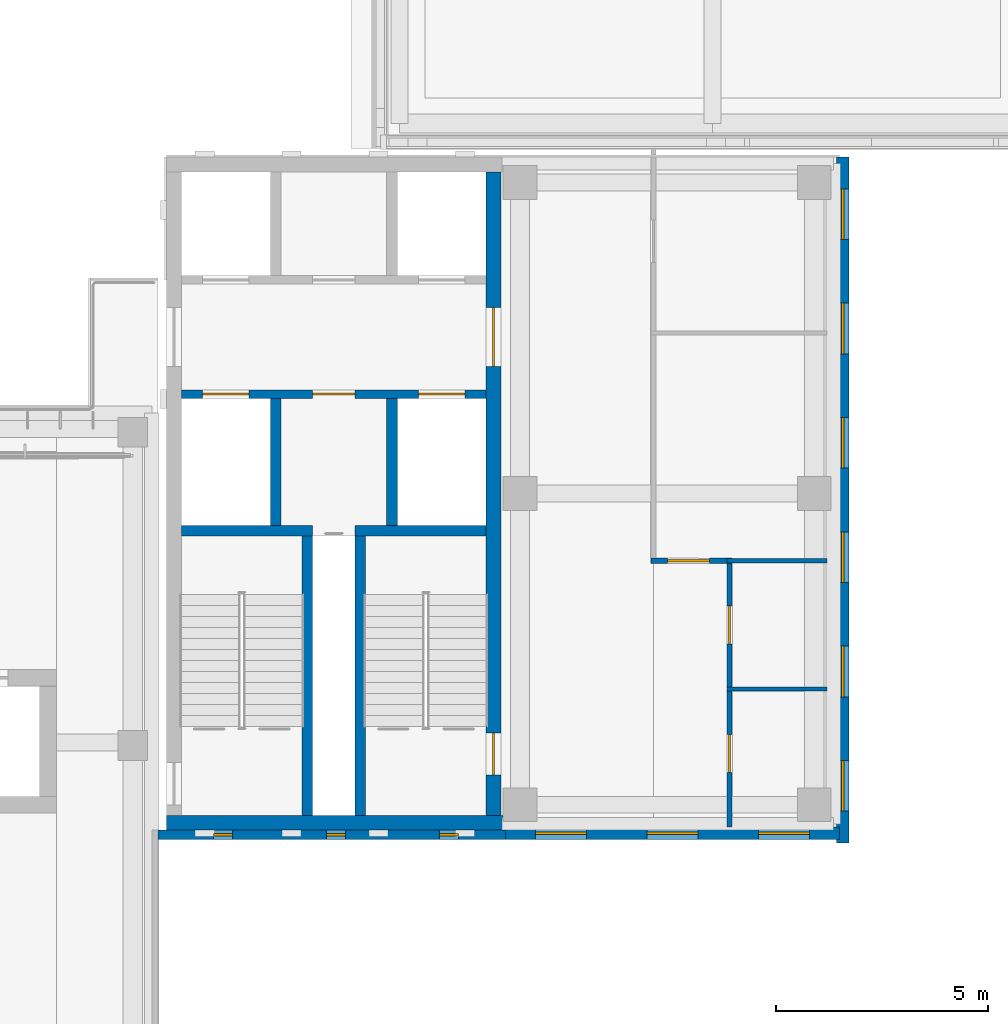
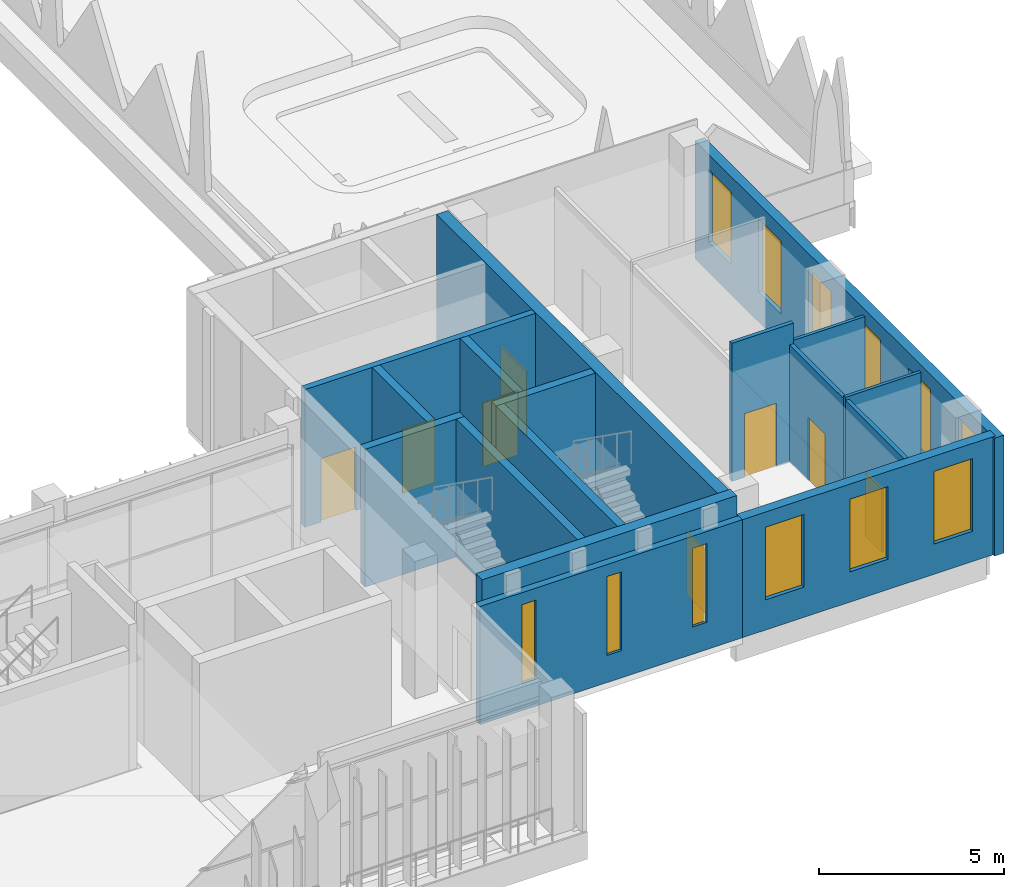
# One storey, part 26 of 46: 16 walls, 12 windows, 8 doors, 20 openings.
"""IFC4 building model written with IfcOpenShell, lengths in metres."""

from ifc_helpers import new_model, si_unit, direction, frame, frame_2d, origin, place, context, subcontext, project, spatial, rectangle, extrude, material, layer, layer_set, type_object, element, fill, save


model = new_model("IFC4")

# Units and contexts
model_context = context("Model", 3, precision=1e-05, world=origin(), true_north=direction((0.0, 1.0)))
body_context = subcontext(model_context, "Body", "Model", "MODEL_VIEW")
ifc_project = project(units=[si_unit("LENGTHUNIT", "METRE"), si_unit("AREAUNIT", "SQUARE_METRE"), si_unit("VOLUMEUNIT", "CUBIC_METRE"), si_unit("PLANEANGLEUNIT", "RADIAN"), si_unit("MASSUNIT", "GRAM", prefix="KILO")], contexts=[model_context])

# Site, building, storey
site_placement = place(None, origin())
site = spatial("IfcSite", under=ifc_project, at=site_placement, CompositionType="ELEMENT")
building_placement = place(site_placement, origin())
building = spatial("IfcBuilding", under=site, at=building_placement, Name="Lantern Court Media Centre", CompositionType="ELEMENT")
storey_placement = place(building_placement, frame((0.0, 0.0, 28.800048828125)))
storey = spatial("IfcBuildingStorey", under=building, at=storey_placement, Name="L06", CompositionType="ELEMENT", Elevation=28.800048828125)

# Wall, opening, door
ifc_material_1 = material(Name="Gypsum board partition")
ifc_layer_1 = layer(ifc_material_1, 0.125)
ifc_layer_set_1 = layer_set([ifc_layer_1], Name="Gypsum board partition")
wall_type_1 = type_object("IfcWallType", Name="Corridor partition 125", PredefinedType="PARTITIONING", material=ifc_layer_set_1)
wall_1_placement = place(storey_placement, frame((91.53759765625, 54.364013671875, 0.0), z_axis=(0.0, 0.0, 1.0), x_axis=(1.0, 0.0, 0.0)))
wall_1 = element("IfcWall", 1, at=wall_1_placement, inside=storey, type_object=wall_type_1, Name="L06 partition 024", PredefinedType="PARTITIONING", context=body_context, shape_type="SweptSolid", body=[
    extrude(rectangle(XDim=1.9248046875, YDim=0.125, at=frame_2d((0.96240234375, 0.0))), origin(), (0.0, 0.0, 1.0), 4.56005859375),
])
opening_1_placement = place(wall_1_placement, frame((0.389892578125, 0.0, 0.0)))
opening_1 = element("IfcOpeningElement", 2, at=opening_1_placement, cuts=wall_1, Name="Opening L06-013", PredefinedType="OPENING", context=body_context, shape_type="SweptSolid", body=[
    extrude(rectangle(XDim=1.0, YDim=2.10009765625, at=frame_2d((0.5, 1.050048828125))), frame((0.0, 0.072509765625, 0.0), z_axis=(0.0, -1.0, 0.0), x_axis=(1.0, 0.0, 0.0)), (0.0, 0.0, 1.0), 0.14501953125),
])
ifc_material_2 = material(Name="Solid-core timber door leaf", Category="wood")
door_type_1 = type_object("IfcDoorType", Name="Single door 1000x2100", OperationType="NOTDEFINED", PredefinedType="DOOR", material=ifc_material_2)
door_1_placement = place(opening_1_placement, origin())
door_1 = element("IfcDoor", 3, at=door_1_placement, inside=storey, type_object=door_type_1, Name="L06 Community Room 08 door", OperationType="SINGLE_SWING_RIGHT", OverallHeight=2.10009765625, OverallWidth=1.0, PredefinedType="DOOR", context=body_context, shape_type="SweptSolid", body=[
    extrude(rectangle(XDim=1.0, YDim=2.10009765625, at=frame_2d((0.5, 1.050048828125))), frame((0.0, 0.02490234375, 0.0), z_axis=(0.0, -1.0, 0.0), x_axis=(1.0, 0.0, 0.0)), (0.0, 0.0, 1.0), 0.050048828125),
])
fill(opening_1, door_1)

# Wall, openings, doors
wall_2_placement = place(storey_placement, frame((93.39990234375, 48.080078125, 0.0), z_axis=(0.0, 0.0, 1.0), x_axis=(0.0, 1.0, 0.0)))
wall_2 = element("IfcWall", 4, at=wall_2_placement, inside=storey, type_object=wall_type_1, Name="L06 partition 027", PredefinedType="PARTITIONING", context=body_context, shape_type="SweptSolid", body=[
    extrude(rectangle(XDim=6.221435546875, YDim=0.125, at=frame_2d((3.11083984375, 0.0))), origin(), (0.0, 0.0, 1.0), 3.8798828125),
])
opening_2_placement = place(wall_2_placement, frame((1.285888671875, 0.0, 0.0)))
opening_2 = element("IfcOpeningElement", 5, at=opening_2_placement, cuts=wall_2, Name="Opening L06-015", PredefinedType="OPENING", context=body_context, shape_type="SweptSolid", body=[
    extrude(rectangle(XDim=0.89990234375, YDim=2.10009765625, at=frame_2d((0.449951171875, 1.050048828125))), frame((0.0, 0.072509765625, 0.0), z_axis=(0.0, -1.0, 0.0), x_axis=(1.0, 0.0, 0.0)), (0.0, 0.0, 1.0), 0.14501953125),
])
opening_3_placement = place(wall_2_placement, frame((4.31787109375, 0.0, 0.0)))
opening_3 = element("IfcOpeningElement", 6, at=opening_3_placement, cuts=wall_2, Name="Opening L06-016", PredefinedType="OPENING", context=body_context, shape_type="SweptSolid", body=[
    extrude(rectangle(XDim=0.89990234375, YDim=2.10009765625, at=frame_2d((0.449951171875, 1.050048828125))), frame((0.0, 0.072509765625, 0.0), z_axis=(0.0, -1.0, 0.0), x_axis=(1.0, 0.0, 0.0)), (0.0, 0.0, 1.0), 0.14501953125),
])
door_type_2 = type_object("IfcDoorType", Name="Single door 900x2100", OperationType="NOTDEFINED", PredefinedType="DOOR", material=ifc_material_2)
door_2_placement = place(opening_2_placement, frame((0.89990234375, 0.0, 0.0), z_axis=(0.0, 0.0, 1.0), x_axis=(-1.0, 0.0, 0.0)))
door_2 = element("IfcDoor", 7, at=door_2_placement, inside=storey, type_object=door_type_2, Name="L06 WC Male door", OperationType="SINGLE_SWING_RIGHT", OverallHeight=2.10009765625, OverallWidth=0.89990234375, PredefinedType="DOOR", context=body_context, shape_type="SweptSolid", body=[
    extrude(rectangle(XDim=0.89990234375, YDim=2.10009765625, at=frame_2d((0.449951171875, 1.050048828125))), frame((0.0, 0.02490234375, 0.0), z_axis=(0.0, -1.0, 0.0), x_axis=(1.0, 0.0, 0.0)), (0.0, 0.0, 1.0), 0.050048828125),
])
fill(opening_2, door_2)
door_3_placement = place(opening_3_placement, frame((0.89990234375, 0.0, 0.0), z_axis=(0.0, 0.0, 1.0), x_axis=(-1.0, 0.0, 0.0)))
door_3 = element("IfcDoor", 8, at=door_3_placement, inside=storey, type_object=door_type_2, Name="L06 WC Female door", OperationType="SINGLE_SWING_LEFT", OverallHeight=2.10009765625, OverallWidth=0.89990234375, PredefinedType="DOOR", context=body_context, shape_type="SweptSolid", body=[
    extrude(rectangle(XDim=0.89990234375, YDim=2.10009765625, at=frame_2d((0.449951171875, 1.050048828125))), frame((0.0, 0.02490234375, 0.0), z_axis=(0.0, -1.0, 0.0), x_axis=(1.0, 0.0, 0.0)), (0.0, 0.0, 1.0), 0.050048828125),
])
fill(opening_3, door_3)

ifc_material_3 = material(Name="Concrete C40", Category="concrete")
ifc_layer_2 = layer(ifc_material_3, 0.199951171875)
ifc_layer_set_2 = layer_set([ifc_layer_2], Name="Concrete C40")
wall_type_2 = type_object("IfcWallType", Name="Fire lobby wall 200", PredefinedType="SOLIDWALL", material=ifc_layer_set_2)
wall_3_placement = place(storey_placement, frame((87.64990234375, 58.300048828125, 0.0), z_axis=(0.0, 0.0, 1.0), x_axis=(-1.0, 0.0, 0.0)))
wall_3 = element("IfcWall", 9, at=wall_3_placement, inside=storey, type_object=wall_type_2, Name="L06 SE FW1", PredefinedType="SOLIDWALL", context=body_context, shape_type="SweptSolid", body=[
    extrude(rectangle(XDim=7.199951171875, YDim=0.199951171875, at=frame_2d((3.60009765625, 0.0))), origin(), (0.0, 0.0, 1.0), 4.550048828125),
])
opening_4_placement = place(wall_3_placement, frame((0.5, 0.0, 0.0)))
opening_4 = element("IfcOpeningElement", 10, at=opening_4_placement, cuts=wall_3, Name="Opening LD-SEFF-L06", PredefinedType="OPENING", context=body_context, shape_type="SweptSolid", body=[
    extrude(rectangle(XDim=1.10009765625, YDim=2.10009765625, at=frame_2d((0.550048828125, 1.050048828125))), frame((0.0, 0.10986328125, 0.0), z_axis=(0.0, -1.0, 0.0), x_axis=(1.0, 0.0, 0.0)), (0.0, 0.0, 1.0), 0.219970703125),
])
opening_5_placement = place(wall_3_placement, frame((5.60009765625, 0.0, 0.0)))
opening_5 = element("IfcOpeningElement", 11, at=opening_5_placement, cuts=wall_3, Name="Opening LD-SEP1-L06", PredefinedType="OPENING", context=body_context, shape_type="SweptSolid", body=[
    extrude(rectangle(XDim=1.10009765625, YDim=2.10009765625, at=frame_2d((0.550048828125, 1.050048828125))), frame((0.0, 0.10986328125, 0.0), z_axis=(0.0, -1.0, 0.0), x_axis=(1.0, 0.0, 0.0)), (0.0, 0.0, 1.0), 0.219970703125),
])
opening_6_placement = place(wall_3_placement, frame((3.10009765625, 0.0, 0.0)))
opening_6 = element("IfcOpeningElement", 12, at=opening_6_placement, cuts=wall_3, Name="Opening SE-L06-03", PredefinedType="OPENING", context=body_context, shape_type="SweptSolid", body=[
    extrude(rectangle(XDim=1.0, YDim=2.10009765625, at=frame_2d((0.5, 1.050048828125))), frame((0.0, 0.10986328125, 0.0), z_axis=(0.0, -1.0, 0.0), x_axis=(1.0, 0.0, 0.0)), (0.0, 0.0, 1.0), 0.219970703125),
])
ifc_material_4 = material(Name="Steel door leaf", Category="steel")
door_type_3 = type_object("IfcDoorType", Name="Lift landing door 1100x2100", OperationType="DOUBLE_DOOR_SLIDING", PredefinedType="DOOR", material=ifc_material_4)
door_4_placement = place(opening_4_placement, frame((1.10009765625, 0.0, 0.0), z_axis=(0.0, 0.0, 1.0), x_axis=(-1.0, 0.0, 0.0)))
door_4 = element("IfcDoor", 13, at=door_4_placement, inside=storey, type_object=door_type_3, Name="L06 SE lift FF landing door", OperationType="DOUBLE_DOOR_SLIDING", OverallHeight=2.10009765625, OverallWidth=1.10009765625, PredefinedType="DOOR", context=body_context, shape_type="SweptSolid", body=[
    extrude(rectangle(XDim=1.10009765625, YDim=2.10009765625, at=frame_2d((0.550048828125, 1.050048828125))), frame((0.0, 0.02490234375, 0.0), z_axis=(0.0, -1.0, 0.0), x_axis=(1.0, 0.0, 0.0)), (0.0, 0.0, 1.0), 0.050048828125),
])
fill(opening_4, door_4)
door_5_placement = place(opening_5_placement, frame((1.10009765625, 0.0, 0.0), z_axis=(0.0, 0.0, 1.0), x_axis=(-1.0, 0.0, 0.0)))
door_5 = element("IfcDoor", 14, at=door_5_placement, inside=storey, type_object=door_type_3, Name="L06 SE lift P1 landing door", OperationType="DOUBLE_DOOR_SLIDING", OverallHeight=2.10009765625, OverallWidth=1.10009765625, PredefinedType="DOOR", context=body_context, shape_type="SweptSolid", body=[
    extrude(rectangle(XDim=1.10009765625, YDim=2.10009765625, at=frame_2d((0.550048828125, 1.050048828125))), frame((0.0, 0.02490234375, 0.0), z_axis=(0.0, -1.0, 0.0), x_axis=(1.0, 0.0, 0.0)), (0.0, 0.0, 1.0), 0.050048828125),
])
fill(opening_5, door_5)
door_type_4 = type_object("IfcDoorType", Name="Service door 1000x2100", OperationType="NOTDEFINED", PredefinedType="DOOR", material=ifc_material_4)
door_6_placement = place(opening_6_placement, frame((1.0, 0.0, 0.0), z_axis=(0.0, 0.0, 1.0), x_axis=(-1.0, 0.0, 0.0)))
door_6 = element("IfcDoor", 15, at=door_6_placement, inside=storey, type_object=door_type_4, Name="L06 SE services riser door", OperationType="SINGLE_SWING_LEFT", OverallHeight=2.10009765625, OverallWidth=1.0, PredefinedType="DOOR", context=body_context, shape_type="SweptSolid", body=[
    extrude(rectangle(XDim=1.0, YDim=2.10009765625, at=frame_2d((0.5, 1.050048828125))), frame((0.0, 0.02490234375, 0.0), z_axis=(0.0, -1.0, 0.0), x_axis=(1.0, 0.0, 0.0)), (0.0, 0.0, 1.0), 0.050048828125),
])
fill(opening_6, door_6)

# Wall, openings, windows
ifc_material_5 = material(Name="Honed limestone cladding on blockwork", Category="masonry")
ifc_layer_3 = layer(ifc_material_5, 0.300048828125)
ifc_layer_set_3 = layer_set([ifc_layer_3], Name="Honed limestone cladding on blockwork")
wall_type_3 = type_object("IfcWallType", Name="Limestone block wall 300", PredefinedType="SOLIDWALL", material=ifc_layer_set_3)
wall_4_placement = place(storey_placement, frame((96.070068359375, 47.699951171875, 0.0), z_axis=(0.0, 0.0, 1.0), x_axis=(0.0, 1.0, 0.0)))
wall_4 = element("IfcWall", 16, at=wall_4_placement, inside=storey, type_object=wall_type_3, Name="Limestone wall SE E L06", PredefinedType="SOLIDWALL", context=body_context, shape_type="SweptSolid", body=[
    extrude(rectangle(XDim=16.199951171875, YDim=0.300048828125, at=frame_2d((8.10009765625, 0.0))), origin(), (0.0, 0.0, 1.0), 3.89990234375),
])
opening_7_placement = place(wall_4_placement, frame((0.75, 0.0, 1.0)))
opening_7 = element("IfcOpeningElement", 17, at=opening_7_placement, cuts=wall_4, Name="Opening WN-A", PredefinedType="OPENING", context=body_context, shape_type="SweptSolid", body=[
    extrude(rectangle(XDim=1.199951171875, YDim=2.39990234375, at=frame_2d((0.60009765625, 1.199951171875))), frame((0.0, 0.159912109375, 0.0), z_axis=(0.0, -1.0, 0.0), x_axis=(1.0, 0.0, 0.0)), (0.0, 0.0, 1.0), 0.320068359375),
])
opening_8_placement = place(wall_4_placement, frame((3.449951171875, 0.0, 1.0)))
opening_8 = element("IfcOpeningElement", 18, at=opening_8_placement, cuts=wall_4, Name="Opening WN-A", PredefinedType="OPENING", context=body_context, shape_type="SweptSolid", body=[
    extrude(rectangle(XDim=1.199951171875, YDim=2.39990234375, at=frame_2d((0.60009765625, 1.199951171875))), frame((0.0, 0.159912109375, 0.0), z_axis=(0.0, -1.0, 0.0), x_axis=(1.0, 0.0, 0.0)), (0.0, 0.0, 1.0), 0.320068359375),
])
opening_9_placement = place(wall_4_placement, frame((6.14990234375, 0.0, 1.0)))
opening_9 = element("IfcOpeningElement", 19, at=opening_9_placement, cuts=wall_4, Name="Opening WN-A", PredefinedType="OPENING", context=body_context, shape_type="SweptSolid", body=[
    extrude(rectangle(XDim=1.199951171875, YDim=2.39990234375, at=frame_2d((0.60009765625, 1.199951171875))), frame((0.0, 0.159912109375, 0.0), z_axis=(0.0, -1.0, 0.0), x_axis=(1.0, 0.0, 0.0)), (0.0, 0.0, 1.0), 0.320068359375),
])
opening_10_placement = place(wall_4_placement, frame((8.85009765625, 0.0, 1.0)))
opening_10 = element("IfcOpeningElement", 20, at=opening_10_placement, cuts=wall_4, Name="Opening WN-A", PredefinedType="OPENING", context=body_context, shape_type="SweptSolid", body=[
    extrude(rectangle(XDim=1.199951171875, YDim=2.39990234375, at=frame_2d((0.60009765625, 1.199951171875))), frame((0.0, 0.159912109375, 0.0), z_axis=(0.0, -1.0, 0.0), x_axis=(1.0, 0.0, 0.0)), (0.0, 0.0, 1.0), 0.320068359375),
])
opening_11_placement = place(wall_4_placement, frame((11.550048828125, 0.0, 1.0)))
opening_11 = element("IfcOpeningElement", 21, at=opening_11_placement, cuts=wall_4, Name="Opening WN-A", PredefinedType="OPENING", context=body_context, shape_type="SweptSolid", body=[
    extrude(rectangle(XDim=1.199951171875, YDim=2.39990234375, at=frame_2d((0.60009765625, 1.199951171875))), frame((0.0, 0.159912109375, 0.0), z_axis=(0.0, -1.0, 0.0), x_axis=(1.0, 0.0, 0.0)), (0.0, 0.0, 1.0), 0.320068359375),
])
opening_12_placement = place(wall_4_placement, frame((14.25, 0.0, 1.0)))
opening_12 = element("IfcOpeningElement", 22, at=opening_12_placement, cuts=wall_4, Name="Opening WN-A", PredefinedType="OPENING", context=body_context, shape_type="SweptSolid", body=[
    extrude(rectangle(XDim=1.199951171875, YDim=2.39990234375, at=frame_2d((0.60009765625, 1.199951171875))), frame((0.0, 0.159912109375, 0.0), z_axis=(0.0, -1.0, 0.0), x_axis=(1.0, 0.0, 0.0)), (0.0, 0.0, 1.0), 0.320068359375),
])
ifc_material_6 = material(Name="Anodised aluminium and glass", Category="aluminium")
window_type_1 = type_object("IfcWindowType", Name="Attic window 1200x2400", PartitioningType="SINGLE_PANEL", PredefinedType="WINDOW", material=ifc_material_6)
window_1_placement = place(opening_7_placement, origin())
window_1 = element("IfcWindow", 23, at=window_1_placement, inside=storey, type_object=window_type_1, Name="Window SE E L06", OverallHeight=2.39990234375, OverallWidth=1.199951171875, PartitioningType="SINGLE_PANEL", PredefinedType="WINDOW", context=body_context, shape_type="SweptSolid", body=[
    extrude(rectangle(XDim=1.199951171875, YDim=2.39990234375, at=frame_2d((0.60009765625, 1.199951171875))), frame((0.0, 0.030029296875, 0.0), z_axis=(0.0, -1.0, 0.0), x_axis=(1.0, 0.0, 0.0)), (0.0, 0.0, 1.0), 0.06005859375),
])
fill(opening_7, window_1)
window_2_placement = place(opening_8_placement, origin())
window_2 = element("IfcWindow", 24, at=window_2_placement, inside=storey, type_object=window_type_1, Name="Window SE E L06", OverallHeight=2.39990234375, OverallWidth=1.199951171875, PartitioningType="SINGLE_PANEL", PredefinedType="WINDOW", context=body_context, shape_type="SweptSolid", body=[
    extrude(rectangle(XDim=1.199951171875, YDim=2.39990234375, at=frame_2d((0.60009765625, 1.199951171875))), frame((0.0, 0.030029296875, 0.0), z_axis=(0.0, -1.0, 0.0), x_axis=(1.0, 0.0, 0.0)), (0.0, 0.0, 1.0), 0.06005859375),
])
fill(opening_8, window_2)
window_3_placement = place(opening_9_placement, origin())
window_3 = element("IfcWindow", 25, at=window_3_placement, inside=storey, type_object=window_type_1, Name="Window SE E L06", OverallHeight=2.39990234375, OverallWidth=1.199951171875, PartitioningType="SINGLE_PANEL", PredefinedType="WINDOW", context=body_context, shape_type="SweptSolid", body=[
    extrude(rectangle(XDim=1.199951171875, YDim=2.39990234375, at=frame_2d((0.60009765625, 1.199951171875))), frame((0.0, 0.030029296875, 0.0), z_axis=(0.0, -1.0, 0.0), x_axis=(1.0, 0.0, 0.0)), (0.0, 0.0, 1.0), 0.06005859375),
])
fill(opening_9, window_3)
window_4_placement = place(opening_10_placement, origin())
window_4 = element("IfcWindow", 26, at=window_4_placement, inside=storey, type_object=window_type_1, Name="Window SE E L06", OverallHeight=2.39990234375, OverallWidth=1.199951171875, PartitioningType="SINGLE_PANEL", PredefinedType="WINDOW", context=body_context, shape_type="SweptSolid", body=[
    extrude(rectangle(XDim=1.199951171875, YDim=2.39990234375, at=frame_2d((0.60009765625, 1.199951171875))), frame((0.0, 0.030029296875, 0.0), z_axis=(0.0, -1.0, 0.0), x_axis=(1.0, 0.0, 0.0)), (0.0, 0.0, 1.0), 0.06005859375),
])
fill(opening_10, window_4)
window_5_placement = place(opening_11_placement, origin())
window_5 = element("IfcWindow", 27, at=window_5_placement, inside=storey, type_object=window_type_1, Name="Window SE E L06", OverallHeight=2.39990234375, OverallWidth=1.199951171875, PartitioningType="SINGLE_PANEL", PredefinedType="WINDOW", context=body_context, shape_type="SweptSolid", body=[
    extrude(rectangle(XDim=1.199951171875, YDim=2.39990234375, at=frame_2d((0.60009765625, 1.199951171875))), frame((0.0, 0.030029296875, 0.0), z_axis=(0.0, -1.0, 0.0), x_axis=(1.0, 0.0, 0.0)), (0.0, 0.0, 1.0), 0.06005859375),
])
fill(opening_11, window_5)
window_6_placement = place(opening_12_placement, origin())
window_6 = element("IfcWindow", 28, at=window_6_placement, inside=storey, type_object=window_type_1, Name="Window SE E L06", OverallHeight=2.39990234375, OverallWidth=1.199951171875, PartitioningType="SINGLE_PANEL", PredefinedType="WINDOW", context=body_context, shape_type="SweptSolid", body=[
    extrude(rectangle(XDim=1.199951171875, YDim=2.39990234375, at=frame_2d((0.60009765625, 1.199951171875))), frame((0.0, 0.030029296875, 0.0), z_axis=(0.0, -1.0, 0.0), x_axis=(1.0, 0.0, 0.0)), (0.0, 0.0, 1.0), 0.06005859375),
])
fill(opening_12, window_6)

wall_5_placement = place(storey_placement, frame((88.10009765625, 47.929931640625, 0.0), z_axis=(0.0, 0.0, 1.0), x_axis=(1.0, 0.0, 0.0)))
wall_5 = element("IfcWall", 29, at=wall_5_placement, inside=storey, type_object=wall_type_3, Name="Limestone wall SE S L06", PredefinedType="SOLIDWALL", context=body_context, shape_type="SweptSolid", body=[
    extrude(rectangle(XDim=7.89990234375, YDim=0.300048828125, at=frame_2d((3.949951171875, 0.0))), origin(), (0.0, 0.0, 1.0), 3.89990234375),
])
opening_13_placement = place(wall_5_placement, frame((0.716552734375, 0.0, 1.0)))
opening_13 = element("IfcOpeningElement", 30, at=opening_13_placement, cuts=wall_5, Name="Opening WN-A", PredefinedType="OPENING", context=body_context, shape_type="SweptSolid", body=[
    extrude(rectangle(XDim=1.199951171875, YDim=2.39990234375, at=frame_2d((0.60009765625, 1.199951171875))), frame((0.0, 0.159912109375, 0.0), z_axis=(0.0, -1.0, 0.0), x_axis=(1.0, 0.0, 0.0)), (0.0, 0.0, 1.0), 0.320068359375),
])
opening_14_placement = place(wall_5_placement, frame((3.35009765625, 0.0, 1.0)))
opening_14 = element("IfcOpeningElement", 31, at=opening_14_placement, cuts=wall_5, Name="Opening WN-A", PredefinedType="OPENING", context=body_context, shape_type="SweptSolid", body=[
    extrude(rectangle(XDim=1.199951171875, YDim=2.39990234375, at=frame_2d((0.60009765625, 1.199951171875))), frame((0.0, 0.159912109375, 0.0), z_axis=(0.0, -1.0, 0.0), x_axis=(1.0, 0.0, 0.0)), (0.0, 0.0, 1.0), 0.320068359375),
])
opening_15_placement = place(wall_5_placement, frame((5.9833984375, 0.0, 1.0)))
opening_15 = element("IfcOpeningElement", 32, at=opening_15_placement, cuts=wall_5, Name="Opening WN-A", PredefinedType="OPENING", context=body_context, shape_type="SweptSolid", body=[
    extrude(rectangle(XDim=1.199951171875, YDim=2.39990234375, at=frame_2d((0.60009765625, 1.199951171875))), frame((0.0, 0.159912109375, 0.0), z_axis=(0.0, -1.0, 0.0), x_axis=(1.0, 0.0, 0.0)), (0.0, 0.0, 1.0), 0.320068359375),
])
window_7_placement = place(opening_13_placement, origin())
window_7 = element("IfcWindow", 33, at=window_7_placement, inside=storey, type_object=window_type_1, Name="Window SE S L06", OverallHeight=2.39990234375, OverallWidth=1.199951171875, PartitioningType="SINGLE_PANEL", PredefinedType="WINDOW", context=body_context, shape_type="SweptSolid", body=[
    extrude(rectangle(XDim=1.199951171875, YDim=2.39990234375, at=frame_2d((0.60009765625, 1.199951171875))), frame((0.0, 0.030029296875, 0.0), z_axis=(0.0, -1.0, 0.0), x_axis=(1.0, 0.0, 0.0)), (0.0, 0.0, 1.0), 0.06005859375),
])
fill(opening_13, window_7)
window_8_placement = place(opening_14_placement, origin())
window_8 = element("IfcWindow", 34, at=window_8_placement, inside=storey, type_object=window_type_1, Name="Window SE S L06", OverallHeight=2.39990234375, OverallWidth=1.199951171875, PartitioningType="SINGLE_PANEL", PredefinedType="WINDOW", context=body_context, shape_type="SweptSolid", body=[
    extrude(rectangle(XDim=1.199951171875, YDim=2.39990234375, at=frame_2d((0.60009765625, 1.199951171875))), frame((0.0, 0.030029296875, 0.0), z_axis=(0.0, -1.0, 0.0), x_axis=(1.0, 0.0, 0.0)), (0.0, 0.0, 1.0), 0.06005859375),
])
fill(opening_14, window_8)
window_9_placement = place(opening_15_placement, origin())
window_9 = element("IfcWindow", 35, at=window_9_placement, inside=storey, type_object=window_type_1, Name="Window SE S L06", OverallHeight=2.39990234375, OverallWidth=1.199951171875, PartitioningType="SINGLE_PANEL", PredefinedType="WINDOW", context=body_context, shape_type="SweptSolid", body=[
    extrude(rectangle(XDim=1.199951171875, YDim=2.39990234375, at=frame_2d((0.60009765625, 1.199951171875))), frame((0.0, 0.030029296875, 0.0), z_axis=(0.0, -1.0, 0.0), x_axis=(1.0, 0.0, 0.0)), (0.0, 0.0, 1.0), 0.06005859375),
])
fill(opening_15, window_9)

ifc_material_7 = material(Name="Honed limestone cladding on blockwork, reduced to 220 where it passes the core wall", Category="masonry")
ifc_layer_4 = layer(ifc_material_7, 0.219970703125)
ifc_layer_set_4 = layer_set([ifc_layer_4], Name="Honed limestone cladding on blockwork, reduced to 220 where it passes the core wall")
wall_type_4 = type_object("IfcWallType", Name="Limestone skin wall 220", PredefinedType="SOLIDWALL", material=ifc_layer_set_4)
wall_6_placement = place(storey_placement, frame((79.89990234375, 47.889892578125, 0.0), z_axis=(0.0, 0.0, 1.0), x_axis=(1.0, 0.0, 0.0)))
wall_6 = element("IfcWall", 36, at=wall_6_placement, inside=storey, type_object=wall_type_4, Name="Limestone wall SE S L06", PredefinedType="SOLIDWALL", context=body_context, shape_type="SweptSolid", body=[
    extrude(rectangle(XDim=8.2001953125, YDim=0.219970703125, at=frame_2d((4.10009765625, 0.0))), origin(), (0.0, 0.0, 1.0), 3.89990234375),
])
opening_16_placement = place(wall_6_placement, frame((1.308349609375, 0.0, 0.89990234375)))
opening_16 = element("IfcOpeningElement", 37, at=opening_16_placement, cuts=wall_6, Name="Opening WN-S", PredefinedType="OPENING", context=body_context, shape_type="SweptSolid", body=[
    extrude(rectangle(XDim=0.449951171875, YDim=2.60009765625, at=frame_2d((0.22509765625, 1.300048828125))), frame((0.0, 0.119873046875, 0.0), z_axis=(0.0, -1.0, 0.0), x_axis=(1.0, 0.0, 0.0)), (0.0, 0.0, 1.0), 0.239990234375),
])
opening_17_placement = place(wall_6_placement, frame((3.97509765625, 0.0, 0.89990234375)))
opening_17 = element("IfcOpeningElement", 38, at=opening_17_placement, cuts=wall_6, Name="Opening WN-S", PredefinedType="OPENING", context=body_context, shape_type="SweptSolid", body=[
    extrude(rectangle(XDim=0.449951171875, YDim=2.60009765625, at=frame_2d((0.22509765625, 1.300048828125))), frame((0.0, 0.119873046875, 0.0), z_axis=(0.0, -1.0, 0.0), x_axis=(1.0, 0.0, 0.0)), (0.0, 0.0, 1.0), 0.239990234375),
])
opening_18_placement = place(wall_6_placement, frame((6.6416015625, 0.0, 0.89990234375)))
opening_18 = element("IfcOpeningElement", 39, at=opening_18_placement, cuts=wall_6, Name="Opening WN-S", PredefinedType="OPENING", context=body_context, shape_type="SweptSolid", body=[
    extrude(rectangle(XDim=0.449951171875, YDim=2.60009765625, at=frame_2d((0.22509765625, 1.300048828125))), frame((0.0, 0.119873046875, 0.0), z_axis=(0.0, -1.0, 0.0), x_axis=(1.0, 0.0, 0.0)), (0.0, 0.0, 1.0), 0.239990234375),
])
window_type_2 = type_object("IfcWindowType", Name="Stair slit window 450x2600", PartitioningType="SINGLE_PANEL", PredefinedType="WINDOW", material=ifc_material_6)
window_10_placement = place(opening_16_placement, origin())
window_10 = element("IfcWindow", 40, at=window_10_placement, inside=storey, type_object=window_type_2, Name="Window SE S L06", OverallHeight=2.60009765625, OverallWidth=0.449951171875, PartitioningType="SINGLE_PANEL", PredefinedType="WINDOW", context=body_context, shape_type="SweptSolid", body=[
    extrude(rectangle(XDim=0.449951171875, YDim=2.60009765625, at=frame_2d((0.22509765625, 1.300048828125))), frame((0.0, 0.030029296875, 0.0), z_axis=(0.0, -1.0, 0.0), x_axis=(1.0, 0.0, 0.0)), (0.0, 0.0, 1.0), 0.06005859375),
])
fill(opening_16, window_10)
window_11_placement = place(opening_17_placement, origin())
window_11 = element("IfcWindow", 41, at=window_11_placement, inside=storey, type_object=window_type_2, Name="Window SE S L06", OverallHeight=2.60009765625, OverallWidth=0.449951171875, PartitioningType="SINGLE_PANEL", PredefinedType="WINDOW", context=body_context, shape_type="SweptSolid", body=[
    extrude(rectangle(XDim=0.449951171875, YDim=2.60009765625, at=frame_2d((0.22509765625, 1.300048828125))), frame((0.0, 0.030029296875, 0.0), z_axis=(0.0, -1.0, 0.0), x_axis=(1.0, 0.0, 0.0)), (0.0, 0.0, 1.0), 0.06005859375),
])
fill(opening_17, window_11)
window_12_placement = place(opening_18_placement, origin())
window_12 = element("IfcWindow", 42, at=window_12_placement, inside=storey, type_object=window_type_2, Name="Window SE S L06", OverallHeight=2.60009765625, OverallWidth=0.449951171875, PartitioningType="SINGLE_PANEL", PredefinedType="WINDOW", context=body_context, shape_type="SweptSolid", body=[
    extrude(rectangle(XDim=0.449951171875, YDim=2.60009765625, at=frame_2d((0.22509765625, 1.300048828125))), frame((0.0, 0.030029296875, 0.0), z_axis=(0.0, -1.0, 0.0), x_axis=(1.0, 0.0, 0.0)), (0.0, 0.0, 1.0), 0.06005859375),
])
fill(opening_18, window_12)

# Walls
ifc_layer_5 = layer(ifc_material_1, 0.10009765625)
ifc_layer_set_5 = layer_set([ifc_layer_5], Name="Gypsum board partition")
wall_type_5 = type_object("IfcWallType", Name="Partition 100", PredefinedType="PARTITIONING", material=ifc_layer_set_5)
for number, where, z_axis, x_axis, name in (
    (43, (93.33740234375, 54.364013671875, 0.0), (0.0, 0.0, 1.0), (1.0, 0.0, 0.0), "L06 partition 025"),
    (44, (93.33740234375, 51.33203125, 0.0), (0.0, 0.0, 1.0), (1.0, 0.0, 0.0), "L06 partition 028"),
):
    element("IfcWall", number, at=place(storey_placement, frame(where, z_axis=z_axis, x_axis=x_axis)), inside=storey, type_object=wall_type_5, Name=name, PredefinedType="PARTITIONING", context=body_context, shape_type="SweptSolid", body=[
        extrude(rectangle(XDim=2.362548828125, YDim=0.10009765625, at=frame_2d((1.18115234375, 0.0))), origin(), (0.0, 0.0, 1.0), 3.97998046875),
    ])
ifc_layer_6 = layer(ifc_material_3, 0.35009765625)
ifc_layer_set_6 = layer_set([ifc_layer_6], Name="Concrete C40")
wall_type_6 = type_object("IfcWallType", Name="RC CORE WALL 350", PredefinedType="SHEAR", material=ifc_layer_set_6)
wall_7_placement = place(storey_placement, frame((80.10009765625, 48.175048828125, 0.0), z_axis=(0.0, 0.0, 1.0), x_axis=(1.0, 0.0, 0.0)))
element("IfcWall", 45, at=wall_7_placement, inside=storey, type_object=wall_type_6, Name="WC-SE-L06-S", PredefinedType="SHEAR", context=body_context, shape_type="SweptSolid", body=[
    extrude(rectangle(XDim=7.949951171875, YDim=0.35009765625, at=frame_2d((3.97509765625, 0.0))), origin(), (0.0, 0.0, 1.0), 4.579833984375),
])

# Wall, openings, doors
wall_8_placement = place(storey_placement, frame((87.824951171875, 48.35009765625, 0.0), z_axis=(0.0, 0.0, 1.0), x_axis=(0.0, 1.0, 0.0)))
wall_8 = element("IfcWall", 46, at=wall_8_placement, inside=storey, type_object=wall_type_6, Name="WC-SE-L06-E", PredefinedType="SHEAR", context=body_context, shape_type="SweptSolid", body=[
    extrude(rectangle(XDim=15.199951171875, YDim=0.35009765625, at=frame_2d((7.60009765625, 0.0))), origin(), (0.0, 0.0, 1.0), 4.579833984375),
])
opening_19_placement = place(wall_8_placement, frame((0.949951171875, 0.0, 0.0)))
opening_19 = element("IfcOpeningElement", 47, at=opening_19_placement, cuts=wall_8, Name="Opening SE-L06-01", PredefinedType="OPENING", context=body_context, shape_type="SweptSolid", body=[
    extrude(rectangle(XDim=1.0, YDim=2.10009765625, at=frame_2d((0.5, 1.050048828125))), frame((0.0, 0.18505859375, 0.0), z_axis=(0.0, -1.0, 0.0), x_axis=(1.0, 0.0, 0.0)), (0.0, 0.0, 1.0), 0.3701171875),
])
opening_20_placement = place(wall_8_placement, frame((10.60009765625, 0.0, 0.0)))
opening_20 = element("IfcOpeningElement", 48, at=opening_20_placement, cuts=wall_8, Name="Opening SE-L06-05", PredefinedType="OPENING", context=body_context, shape_type="SweptSolid", body=[
    extrude(rectangle(XDim=1.39990234375, YDim=2.10009765625, at=frame_2d((0.699951171875, 1.050048828125))), frame((0.0, 0.18505859375, 0.0), z_axis=(0.0, -1.0, 0.0), x_axis=(1.0, 0.0, 0.0)), (0.0, 0.0, 1.0), 0.3701171875),
])
door_type_5 = type_object("IfcDoorType", Name="Lift lobby double door 1400x2100", OperationType="NOTDEFINED", PredefinedType="DOOR", material=ifc_material_4)
door_7_placement = place(opening_20_placement, frame((1.39990234375, 0.0, 0.0), z_axis=(0.0, 0.0, 1.0), x_axis=(-1.0, 0.0, 0.0)))
door_7 = element("IfcDoor", 49, at=door_7_placement, inside=storey, type_object=door_type_5, Name="L06 SE lift lobby west door", OperationType="SINGLE_SWING_LEFT", OverallHeight=2.10009765625, OverallWidth=1.39990234375, PredefinedType="DOOR", context=body_context, shape_type="SweptSolid", body=[
    extrude(rectangle(XDim=1.39990234375, YDim=2.10009765625, at=frame_2d((0.699951171875, 1.050048828125))), frame((0.0, 0.02490234375, 0.0), z_axis=(0.0, -1.0, 0.0), x_axis=(1.0, 0.0, 0.0)), (0.0, 0.0, 1.0), 0.050048828125),
])
fill(opening_20, door_7)
door_type_6 = type_object("IfcDoorType", Name="Stair door 1000x2100", OperationType="NOTDEFINED", PredefinedType="DOOR", material=ifc_material_4)
door_8_placement = place(opening_19_placement, frame((1.0, 0.0, 0.0), z_axis=(0.0, 0.0, 1.0), x_axis=(-1.0, 0.0, 0.0)))
door_8 = element("IfcDoor", 50, at=door_8_placement, inside=storey, type_object=door_type_6, Name="L06 SE stair A door", OperationType="SINGLE_SWING_LEFT", OverallHeight=2.10009765625, OverallWidth=1.0, PredefinedType="DOOR", context=body_context, shape_type="SweptSolid", body=[
    extrude(rectangle(XDim=1.0, YDim=2.10009765625, at=frame_2d((0.5, 1.050048828125))), frame((0.0, 0.02490234375, 0.0), z_axis=(0.0, -1.0, 0.0), x_axis=(1.0, 0.0, 0.0)), (0.0, 0.0, 1.0), 0.050048828125),
])
fill(opening_19, door_8)

# Walls
ifc_layer_7 = layer(ifc_material_3, 0.25)
ifc_layer_set_7 = layer_set([ifc_layer_7], Name="Concrete C40")
wall_type_7 = type_object("IfcWallType", Name="RC lift shaft wall 250", PredefinedType="SOLIDWALL", material=ifc_layer_set_7)
for number, where, z_axis, x_axis, name in (
    (51, (85.425048828125, 55.199951171875, 0.0), (0.0, 0.0, 1.0), (0.0, 1.0, 0.0), "L06 SE L1a"),
    (52, (82.675048828125, 55.199951171875, 0.0), (0.0, 0.0, 1.0), (0.0, 1.0, 0.0), "L06 SE L2a"),
):
    element("IfcWall", number, at=place(storey_placement, frame(where, z_axis=z_axis, x_axis=x_axis)), inside=storey, type_object=wall_type_7, Name=name, PredefinedType="SOLIDWALL", context=body_context, shape_type="SweptSolid", body=[
        extrude(rectangle(XDim=3.0, YDim=0.25, at=frame_2d((1.5, 0.0))), origin(), (0.0, 0.0, 1.0), 4.550048828125),
    ])
ifc_layer_8 = layer(ifc_material_3, 0.25)
ifc_layer_set_8 = layer_set([ifc_layer_8], Name="Concrete C40")
wall_type_8 = type_object("IfcWallType", Name="RC stair shaft wall 250", PredefinedType="SOLIDWALL", material=ifc_layer_set_8)
for number, where, z_axis, x_axis, name in (
    (53, (84.675048828125, 48.35009765625, 0.0), (0.0, 0.0, 1.0), (0.0, 1.0, 0.0), "L06 SE SA"),
    (54, (83.425048828125, 48.35009765625, 0.0), (0.0, 0.0, 1.0), (0.0, 1.0, 0.0), "L06 SE SB"),
):
    element("IfcWall", number, at=place(storey_placement, frame(where, z_axis=z_axis, x_axis=x_axis)), inside=storey, type_object=wall_type_8, Name=name, PredefinedType="SOLIDWALL", context=body_context, shape_type="SweptSolid", body=[
        extrude(rectangle(XDim=6.599853515625, YDim=0.25, at=frame_2d((3.2998046875, 0.0))), origin(), (0.0, 0.0, 1.0), 4.550048828125),
    ])
wall_9_placement = place(storey_placement, frame((87.64990234375, 55.074951171875, 0.0), z_axis=(0.0, 0.0, 1.0), x_axis=(-1.0, 0.0, 0.0)))
element("IfcWall", 55, at=wall_9_placement, inside=storey, type_object=wall_type_8, Name="L06 SE SN1", PredefinedType="SOLIDWALL", context=body_context, shape_type="SweptSolid", body=[
    extrude(rectangle(XDim=3.099853515625, YDim=0.25, at=frame_2d((1.5498046875, 0.0))), origin(), (0.0, 0.0, 1.0), 4.550048828125),
])
wall_10_placement = place(storey_placement, frame((83.550048828125, 55.074951171875, 0.0), z_axis=(0.0, 0.0, 1.0), x_axis=(-1.0, 0.0, 0.0)))
element("IfcWall", 56, at=wall_10_placement, inside=storey, type_object=wall_type_8, Name="L06 SE SN2", PredefinedType="SOLIDWALL", context=body_context, shape_type="SweptSolid", body=[
    extrude(rectangle(XDim=3.10009765625, YDim=0.25, at=frame_2d((1.550048828125, 0.0))), origin(), (0.0, 0.0, 1.0), 4.550048828125),
])

save(model, "model.ifc")
